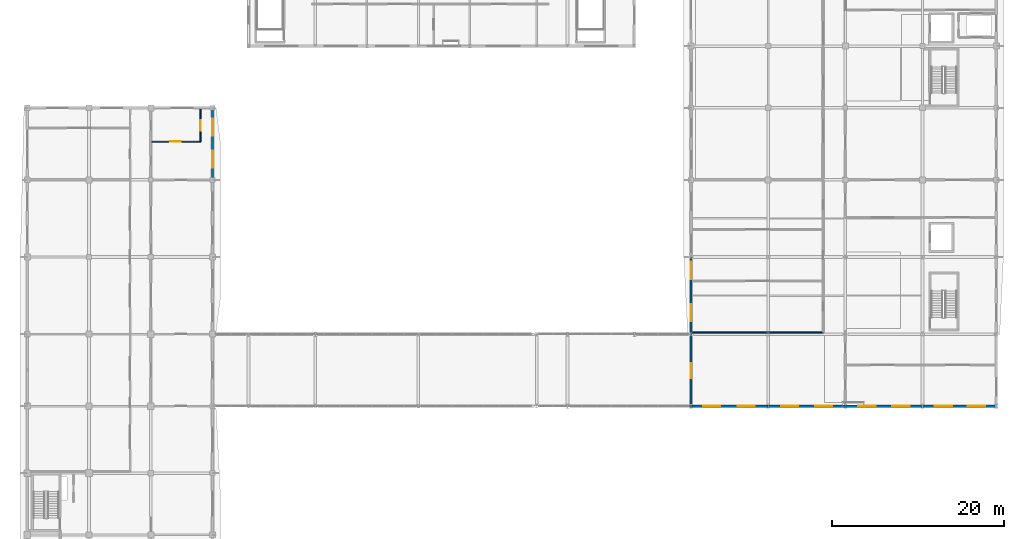
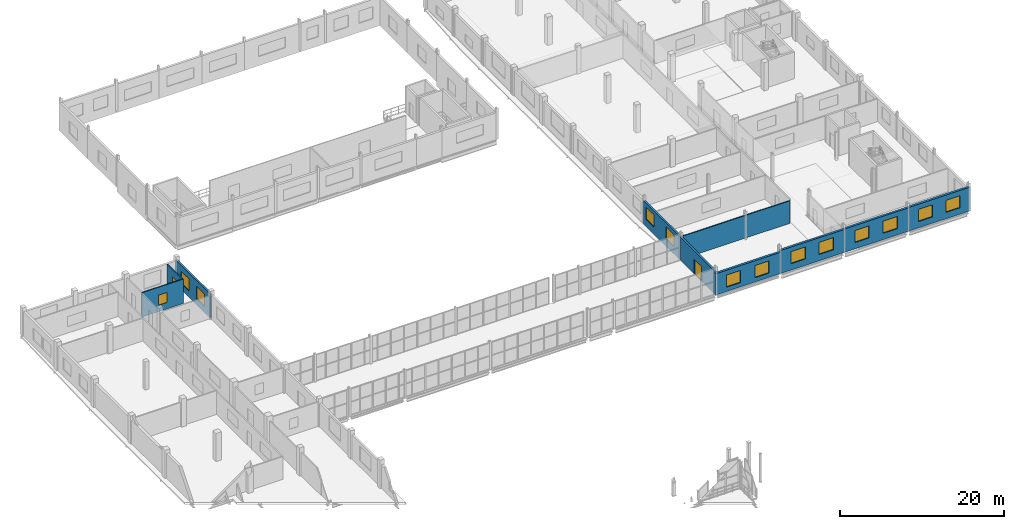
# One storey, part 98 of 121: 14 windows, 10 walls, 1 door, 15 openings.
"""IFC4 building model written with IfcOpenShell, lengths in metres."""

from ifc_helpers import new_model, si_unit, direction, frame, frame_2d, origin, place, context, subcontext, project, spatial, rectangle, extrude, material, layer, layer_set, type_object, element, fill, save


model = new_model("IFC4")

# Units and contexts
model_context = context("Model", 3, precision=1e-05, world=origin(), true_north=direction((0.0, 1.0)))
body_context = subcontext(model_context, "Body", "Model", "MODEL_VIEW")
ifc_project = project(units=[si_unit("LENGTHUNIT", "METRE"), si_unit("AREAUNIT", "SQUARE_METRE"), si_unit("VOLUMEUNIT", "CUBIC_METRE"), si_unit("PLANEANGLEUNIT", "RADIAN"), si_unit("MASSUNIT", "GRAM", prefix="KILO")], contexts=[model_context])

# Site, building, storey
site_placement = place(None, origin())
site = spatial("IfcSite", under=ifc_project, at=site_placement, CompositionType="ELEMENT")
building_placement = place(site_placement, origin())
building = spatial("IfcBuilding", under=site, at=building_placement, Name="Vinh Khe Railworks Police Headquarters", CompositionType="ELEMENT")
storey_placement = place(building_placement, frame((0.0, 0.0, 4.800048828125)))
storey = spatial("IfcBuildingStorey", under=building, at=storey_placement, Name="L01", CompositionType="ELEMENT", Elevation=4.800048828125)

# Wall, openings, windows
ifc_material_1 = material(Name="Clay brickwork", Category="masonry")
ifc_layer_1 = layer(ifc_material_1, 0.260009765625)
ifc_layer_set_1 = layer_set([ifc_layer_1], Name="Clay brickwork")
wall_type_1 = type_object("IfcWallType", Name="EW-BRK-260", PredefinedType="SOLIDWALL", material=ifc_layer_set_1)
wall_1_placement = place(storey_placement, frame((22.199951171875, 122.39990234375, 0.0), z_axis=(0.0, 0.0, 1.0), x_axis=(0.0, 1.0, 0.0)))
wall_1 = element("IfcWall", 1, at=wall_1_placement, inside=storey, type_object=wall_type_1, Name="Exterior Brick Wall EW-L01-V5E-16", PredefinedType="SOLIDWALL", context=body_context, shape_type="SweptSolid", body=[
    extrude(rectangle(XDim=8.530029296875, YDim=0.260009765625, at=frame_2d((4.26513671875, 0.0))), origin(), (0.0, 0.0, 1.0), 3.5849609375),
])
opening_1_placement = place(wall_1_placement, frame((1.388427734375, 0.0, 0.89990234375)))
opening_1 = element("IfcOpeningElement", 2, at=opening_1_placement, cuts=wall_1, Name="Opening WN-04", PredefinedType="OPENING", context=body_context, shape_type="SweptSolid", body=[
    extrude(rectangle(XDim=2.0, YDim=1.800048828125, at=frame_2d((1.0, 0.89990234375))), frame((0.0, 0.14501953125, 0.0), z_axis=(0.0, -1.0, 0.0), x_axis=(1.0, 0.0, 0.0)), (0.0, 0.0, 1.0), 0.289794921875),
])
opening_2_placement = place(wall_1_placement, frame((5.1416015625, 0.0, 0.89990234375)))
opening_2 = element("IfcOpeningElement", 3, at=opening_2_placement, cuts=wall_1, Name="Opening WN-04", PredefinedType="OPENING", context=body_context, shape_type="SweptSolid", body=[
    extrude(rectangle(XDim=2.0, YDim=1.800048828125, at=frame_2d((1.0, 0.89990234375))), frame((0.0, 0.14501953125, 0.0), z_axis=(0.0, -1.0, 0.0), x_axis=(1.0, 0.0, 0.0)), (0.0, 0.0, 1.0), 0.289794921875),
])
ifc_material_2 = material(Name="Double-glazed solar-control glass in dark steel frame", Category="steel")
window_type_1 = type_object("IfcWindowType", Name="WIN-WN-04", PartitioningType="DOUBLE_PANEL_VERTICAL", PredefinedType="WINDOW", material=ifc_material_2)
window_1_placement = place(opening_1_placement, origin())
window_1 = element("IfcWindow", 4, at=window_1_placement, inside=storey, type_object=window_type_1, Name="Casement Window WN-04", OverallHeight=1.800048828125, OverallWidth=2.0, PartitioningType="SINGLE_PANEL", PredefinedType="WINDOW", context=body_context, shape_type="SweptSolid", body=[
    extrude(rectangle(XDim=2.0, YDim=1.800048828125, at=frame_2d((1.0, 0.89990234375))), frame((0.0, 0.030029296875, 0.0), z_axis=(0.0, -1.0, 0.0), x_axis=(1.0, 0.0, 0.0)), (0.0, 0.0, 1.0), 0.06005859375),
])
fill(opening_1, window_1)
window_2_placement = place(opening_2_placement, origin())
window_2 = element("IfcWindow", 5, at=window_2_placement, inside=storey, type_object=window_type_1, Name="Casement Window WN-04", OverallHeight=1.800048828125, OverallWidth=2.0, PartitioningType="SINGLE_PANEL", PredefinedType="WINDOW", context=body_context, shape_type="SweptSolid", body=[
    extrude(rectangle(XDim=2.0, YDim=1.800048828125, at=frame_2d((1.0, 0.89990234375))), frame((0.0, 0.030029296875, 0.0), z_axis=(0.0, -1.0, 0.0), x_axis=(1.0, 0.0, 0.0)), (0.0, 0.0, 1.0), 0.06005859375),
])
fill(opening_2, window_2)

# Wall, opening, door
wall_2_placement = place(storey_placement, frame((78.0, 95.8701171875, 0.0), z_axis=(0.0, 0.0, 1.0), x_axis=(0.0, 1.0, 0.0)))
wall_2 = element("IfcWall", 6, at=wall_2_placement, inside=storey, type_object=wall_type_1, Name="Exterior Brick Wall EW-L01-V6W-01", PredefinedType="SOLIDWALL", context=body_context, shape_type="SweptSolid", body=[
    extrude(rectangle(XDim=8.52978515625, YDim=0.260009765625, at=frame_2d((4.264892578125, 0.0))), origin(), (0.0, 0.0, 1.0), 3.43505859375),
])
opening_3_placement = place(wall_2_placement, frame((3.364990234375, 0.0, 0.0)))
opening_3 = element("IfcOpeningElement", 7, at=opening_3_placement, cuts=wall_2, Name="Opening ED-03", PredefinedType="OPENING", context=body_context, shape_type="SweptSolid", body=[
    extrude(rectangle(XDim=1.800048828125, YDim=2.199951171875, at=frame_2d((0.89990234375, 1.10009765625))), frame((0.0, 0.14501953125, 0.0), z_axis=(0.0, -1.0, 0.0), x_axis=(1.0, 0.0, 0.0)), (0.0, 0.0, 1.0), 0.289794921875),
])
ifc_material_3 = material(Name="Dark anodised aluminium and solar-control glass", Category="aluminium")
door_type = type_object("IfcDoorType", Name="ED-TER-1800", OperationType="DOUBLE_DOOR_SINGLE_SWING", PredefinedType="DOOR", material=ifc_material_3)
door_placement = place(opening_3_placement, origin())
door = element("IfcDoor", 8, at=door_placement, inside=storey, type_object=door_type, Name="Court Link Bridge East Portal Door L01", OperationType="DOUBLE_DOOR_SINGLE_SWING", OverallHeight=2.199951171875, OverallWidth=1.800048828125, PredefinedType="DOOR", context=body_context, shape_type="SweptSolid", body=[
    extrude(rectangle(XDim=1.800048828125, YDim=2.199951171875, at=frame_2d((0.89990234375, 1.10009765625))), frame((0.0, 0.02490234375, 0.0), z_axis=(0.0, -1.0, 0.0), x_axis=(1.0, 0.0, 0.0)), (0.0, 0.0, 1.0), 0.050048828125),
])
fill(opening_3, door)

# Wall, openings, windows
wall_3_placement = place(storey_placement, frame((78.0, 104.39990234375, 0.0), z_axis=(0.0, 0.0, 1.0), x_axis=(0.0, 1.0, 0.0)))
wall_3 = element("IfcWall", 9, at=wall_3_placement, inside=storey, type_object=wall_type_1, Name="Exterior Brick Wall EW-L01-V6W-02", PredefinedType="SOLIDWALL", context=body_context, shape_type="SweptSolid", body=[
    extrude(rectangle(XDim=9.0, YDim=0.260009765625, at=frame_2d((4.5, 0.0))), origin(), (0.0, 0.0, 1.0), 3.43505859375),
])
opening_4_placement = place(wall_3_placement, frame((1.52001953125, 0.0, 1.050048828125)))
opening_4 = element("IfcOpeningElement", 10, at=opening_4_placement, cuts=wall_3, Name="Opening WN-04", PredefinedType="OPENING", context=body_context, shape_type="SweptSolid", body=[
    extrude(rectangle(XDim=2.0, YDim=1.800048828125, at=frame_2d((1.0, 0.89990234375))), frame((0.0, 0.14501953125, 0.0), z_axis=(0.0, -1.0, 0.0), x_axis=(1.0, 0.0, 0.0)), (0.0, 0.0, 1.0), 0.289794921875),
])
opening_5_placement = place(wall_3_placement, frame((6.429931640625, 0.0, 1.050048828125)))
opening_5 = element("IfcOpeningElement", 11, at=opening_5_placement, cuts=wall_3, Name="Opening WN-04", PredefinedType="OPENING", context=body_context, shape_type="SweptSolid", body=[
    extrude(rectangle(XDim=2.0, YDim=1.800048828125, at=frame_2d((1.0, 0.89990234375))), frame((0.0, 0.14501953125, 0.0), z_axis=(0.0, -1.0, 0.0), x_axis=(1.0, 0.0, 0.0)), (0.0, 0.0, 1.0), 0.289794921875),
])
window_3_placement = place(opening_4_placement, origin())
window_3 = element("IfcWindow", 12, at=window_3_placement, inside=storey, type_object=window_type_1, Name="Casement Window WN-04", OverallHeight=1.800048828125, OverallWidth=2.0, PartitioningType="SINGLE_PANEL", PredefinedType="WINDOW", context=body_context, shape_type="SweptSolid", body=[
    extrude(rectangle(XDim=2.0, YDim=1.800048828125, at=frame_2d((1.0, 0.89990234375))), frame((0.0, 0.030029296875, 0.0), z_axis=(0.0, -1.0, 0.0), x_axis=(1.0, 0.0, 0.0)), (0.0, 0.0, 1.0), 0.06005859375),
])
fill(opening_4, window_3)
window_4_placement = place(opening_5_placement, origin())
window_4 = element("IfcWindow", 13, at=window_4_placement, inside=storey, type_object=window_type_1, Name="Casement Window WN-04", OverallHeight=1.800048828125, OverallWidth=2.0, PartitioningType="SINGLE_PANEL", PredefinedType="WINDOW", context=body_context, shape_type="SweptSolid", body=[
    extrude(rectangle(XDim=2.0, YDim=1.800048828125, at=frame_2d((1.0, 0.89990234375))), frame((0.0, 0.030029296875, 0.0), z_axis=(0.0, -1.0, 0.0), x_axis=(1.0, 0.0, 0.0)), (0.0, 0.0, 1.0), 0.06005859375),
])
fill(opening_5, window_4)

ifc_layer_2 = layer(ifc_material_1, 0.300048828125)
ifc_layer_set_2 = layer_set([ifc_layer_2], Name="Clay brickwork")
wall_type_2 = type_object("IfcWallType", Name="EW-BRK-300", PredefinedType="SOLIDWALL", material=ifc_layer_set_2)
wall_4_placement = place(storey_placement, frame((77.85009765625, 96.0, 0.0), z_axis=(0.0, 0.0, 1.0), x_axis=(1.0, 0.0, 0.0)))
wall_4 = element("IfcWall", 14, at=wall_4_placement, inside=storey, type_object=wall_type_2, Name="Exterior Brick Wall EW-L01-V6S-01", PredefinedType="SOLIDWALL", context=body_context, shape_type="SweptSolid", body=[
    extrude(rectangle(XDim=9.14990234375, YDim=0.300048828125, at=frame_2d((4.574951171875, 0.0))), origin(), (0.0, 0.0, 1.0), 3.175048828125),
])
opening_6_placement = place(wall_4_placement, frame((1.56201171875, 0.0, 0.64990234375)))
opening_6 = element("IfcOpeningElement", 15, at=opening_6_placement, cuts=wall_4, Name="Opening WN-04", PredefinedType="OPENING", context=body_context, shape_type="SweptSolid", body=[
    extrude(rectangle(XDim=2.0, YDim=1.800048828125, at=frame_2d((1.0, 0.89990234375))), frame((0.0, 0.1650390625, 0.0), z_axis=(0.0, -1.0, 0.0), x_axis=(1.0, 0.0, 0.0)), (0.0, 0.0, 1.0), 0.329833984375),
])
opening_7_placement = place(wall_4_placement, frame((5.587890625, 0.0, 0.64990234375)))
opening_7 = element("IfcOpeningElement", 16, at=opening_7_placement, cuts=wall_4, Name="Opening WN-04", PredefinedType="OPENING", context=body_context, shape_type="SweptSolid", body=[
    extrude(rectangle(XDim=2.0, YDim=1.800048828125, at=frame_2d((1.0, 0.89990234375))), frame((0.0, 0.1650390625, 0.0), z_axis=(0.0, -1.0, 0.0), x_axis=(1.0, 0.0, 0.0)), (0.0, 0.0, 1.0), 0.329833984375),
])
window_5_placement = place(opening_6_placement, origin())
window_5 = element("IfcWindow", 17, at=window_5_placement, inside=storey, type_object=window_type_1, Name="Casement Window WN-04", OverallHeight=1.800048828125, OverallWidth=2.0, PartitioningType="SINGLE_PANEL", PredefinedType="WINDOW", context=body_context, shape_type="SweptSolid", body=[
    extrude(rectangle(XDim=2.0, YDim=1.800048828125, at=frame_2d((1.0, 0.89990234375))), frame((0.0, 0.030029296875, 0.0), z_axis=(0.0, -1.0, 0.0), x_axis=(1.0, 0.0, 0.0)), (0.0, 0.0, 1.0), 0.06005859375),
])
fill(opening_6, window_5)
window_6_placement = place(opening_7_placement, origin())
window_6 = element("IfcWindow", 18, at=window_6_placement, inside=storey, type_object=window_type_1, Name="Casement Window WN-04", OverallHeight=1.800048828125, OverallWidth=2.0, PartitioningType="SINGLE_PANEL", PredefinedType="WINDOW", context=body_context, shape_type="SweptSolid", body=[
    extrude(rectangle(XDim=2.0, YDim=1.800048828125, at=frame_2d((1.0, 0.89990234375))), frame((0.0, 0.030029296875, 0.0), z_axis=(0.0, -1.0, 0.0), x_axis=(1.0, 0.0, 0.0)), (0.0, 0.0, 1.0), 0.06005859375),
])
fill(opening_7, window_6)

wall_5_placement = place(storey_placement, frame((87.0, 96.0, 0.0), z_axis=(0.0, 0.0, 1.0), x_axis=(1.0, 0.0, 0.0)))
wall_5 = element("IfcWall", 19, at=wall_5_placement, inside=storey, type_object=wall_type_2, Name="Exterior Brick Wall EW-L01-V6S-02", PredefinedType="SOLIDWALL", context=body_context, shape_type="SweptSolid", body=[
    extrude(rectangle(XDim=9.0, YDim=0.300048828125, at=frame_2d((4.5, 0.0))), origin(), (0.0, 0.0, 1.0), 3.43505859375),
])
opening_8_placement = place(wall_5_placement, frame((1.52001953125, 0.0, 0.949951171875)))
opening_8 = element("IfcOpeningElement", 20, at=opening_8_placement, cuts=wall_5, Name="Opening WN-04", PredefinedType="OPENING", context=body_context, shape_type="SweptSolid", body=[
    extrude(rectangle(XDim=2.0, YDim=1.800048828125, at=frame_2d((1.0, 0.89990234375))), frame((0.0, 0.1650390625, 0.0), z_axis=(0.0, -1.0, 0.0), x_axis=(1.0, 0.0, 0.0)), (0.0, 0.0, 1.0), 0.329833984375),
])
opening_9_placement = place(wall_5_placement, frame((5.47998046875, 0.0, 0.949951171875)))
opening_9 = element("IfcOpeningElement", 21, at=opening_9_placement, cuts=wall_5, Name="Opening WN-04", PredefinedType="OPENING", context=body_context, shape_type="SweptSolid", body=[
    extrude(rectangle(XDim=2.0, YDim=1.800048828125, at=frame_2d((1.0, 0.89990234375))), frame((0.0, 0.1650390625, 0.0), z_axis=(0.0, -1.0, 0.0), x_axis=(1.0, 0.0, 0.0)), (0.0, 0.0, 1.0), 0.329833984375),
])
window_7_placement = place(opening_8_placement, origin())
window_7 = element("IfcWindow", 22, at=window_7_placement, inside=storey, type_object=window_type_1, Name="Casement Window WN-04", OverallHeight=1.800048828125, OverallWidth=2.0, PartitioningType="SINGLE_PANEL", PredefinedType="WINDOW", context=body_context, shape_type="SweptSolid", body=[
    extrude(rectangle(XDim=2.0, YDim=1.800048828125, at=frame_2d((1.0, 0.89990234375))), frame((0.0, 0.030029296875, 0.0), z_axis=(0.0, -1.0, 0.0), x_axis=(1.0, 0.0, 0.0)), (0.0, 0.0, 1.0), 0.06005859375),
])
fill(opening_8, window_7)
window_8_placement = place(opening_9_placement, origin())
window_8 = element("IfcWindow", 23, at=window_8_placement, inside=storey, type_object=window_type_1, Name="Casement Window WN-04", OverallHeight=1.800048828125, OverallWidth=2.0, PartitioningType="SINGLE_PANEL", PredefinedType="WINDOW", context=body_context, shape_type="SweptSolid", body=[
    extrude(rectangle(XDim=2.0, YDim=1.800048828125, at=frame_2d((1.0, 0.89990234375))), frame((0.0, 0.030029296875, 0.0), z_axis=(0.0, -1.0, 0.0), x_axis=(1.0, 0.0, 0.0)), (0.0, 0.0, 1.0), 0.06005859375),
])
fill(opening_9, window_8)

wall_6_placement = place(storey_placement, frame((96.0, 96.0, 0.0), z_axis=(0.0, 0.0, 1.0), x_axis=(1.0, 0.0, 0.0)))
wall_6 = element("IfcWall", 24, at=wall_6_placement, inside=storey, type_object=wall_type_2, Name="Exterior Brick Wall EW-L01-V6S-03", PredefinedType="SOLIDWALL", context=body_context, shape_type="SweptSolid", body=[
    extrude(rectangle(XDim=9.0, YDim=0.300048828125, at=frame_2d((4.5, 0.0))), origin(), (0.0, 0.0, 1.0), 3.48486328125),
])
opening_10_placement = place(wall_6_placement, frame((1.52001953125, 0.0, 0.949951171875)))
opening_10 = element("IfcOpeningElement", 25, at=opening_10_placement, cuts=wall_6, Name="Opening WN-04", PredefinedType="OPENING", context=body_context, shape_type="SweptSolid", body=[
    extrude(rectangle(XDim=2.0, YDim=1.800048828125, at=frame_2d((1.0, 0.89990234375))), frame((0.0, 0.1650390625, 0.0), z_axis=(0.0, -1.0, 0.0), x_axis=(1.0, 0.0, 0.0)), (0.0, 0.0, 1.0), 0.329833984375),
])
opening_11_placement = place(wall_6_placement, frame((5.47998046875, 0.0, 0.949951171875)))
opening_11 = element("IfcOpeningElement", 26, at=opening_11_placement, cuts=wall_6, Name="Opening WN-04", PredefinedType="OPENING", context=body_context, shape_type="SweptSolid", body=[
    extrude(rectangle(XDim=2.0, YDim=1.800048828125, at=frame_2d((1.0, 0.89990234375))), frame((0.0, 0.1650390625, 0.0), z_axis=(0.0, -1.0, 0.0), x_axis=(1.0, 0.0, 0.0)), (0.0, 0.0, 1.0), 0.329833984375),
])
window_9_placement = place(opening_10_placement, origin())
window_9 = element("IfcWindow", 27, at=window_9_placement, inside=storey, type_object=window_type_1, Name="Casement Window WN-04", OverallHeight=1.800048828125, OverallWidth=2.0, PartitioningType="SINGLE_PANEL", PredefinedType="WINDOW", context=body_context, shape_type="SweptSolid", body=[
    extrude(rectangle(XDim=2.0, YDim=1.800048828125, at=frame_2d((1.0, 0.89990234375))), frame((0.0, 0.030029296875, 0.0), z_axis=(0.0, -1.0, 0.0), x_axis=(1.0, 0.0, 0.0)), (0.0, 0.0, 1.0), 0.06005859375),
])
fill(opening_10, window_9)
window_10_placement = place(opening_11_placement, origin())
window_10 = element("IfcWindow", 28, at=window_10_placement, inside=storey, type_object=window_type_1, Name="Casement Window WN-04", OverallHeight=1.800048828125, OverallWidth=2.0, PartitioningType="SINGLE_PANEL", PredefinedType="WINDOW", context=body_context, shape_type="SweptSolid", body=[
    extrude(rectangle(XDim=2.0, YDim=1.800048828125, at=frame_2d((1.0, 0.89990234375))), frame((0.0, 0.030029296875, 0.0), z_axis=(0.0, -1.0, 0.0), x_axis=(1.0, 0.0, 0.0)), (0.0, 0.0, 1.0), 0.06005859375),
])
fill(opening_11, window_10)

wall_7_placement = place(storey_placement, frame((105.0, 96.0, 0.0), z_axis=(0.0, 0.0, 1.0), x_axis=(1.0, 0.0, 0.0)))
wall_7 = element("IfcWall", 29, at=wall_7_placement, inside=storey, type_object=wall_type_2, Name="Exterior Brick Wall EW-L01-V6S-04", PredefinedType="SOLIDWALL", context=body_context, shape_type="SweptSolid", body=[
    extrude(rectangle(XDim=8.75, YDim=0.300048828125, at=frame_2d((4.375, 0.0))), origin(), (0.0, 0.0, 1.0), 3.534912109375),
])
opening_12_placement = place(wall_7_placement, frame((1.449951171875, 0.0, 0.949951171875)))
opening_12 = element("IfcOpeningElement", 30, at=opening_12_placement, cuts=wall_7, Name="Opening WN-04", PredefinedType="OPENING", context=body_context, shape_type="SweptSolid", body=[
    extrude(rectangle(XDim=2.0, YDim=1.800048828125, at=frame_2d((1.0, 0.89990234375))), frame((0.0, 0.1650390625, 0.0), z_axis=(0.0, -1.0, 0.0), x_axis=(1.0, 0.0, 0.0)), (0.0, 0.0, 1.0), 0.329833984375),
])
opening_13_placement = place(wall_7_placement, frame((5.300048828125, 0.0, 0.949951171875)))
opening_13 = element("IfcOpeningElement", 31, at=opening_13_placement, cuts=wall_7, Name="Opening WN-04", PredefinedType="OPENING", context=body_context, shape_type="SweptSolid", body=[
    extrude(rectangle(XDim=2.0, YDim=1.800048828125, at=frame_2d((1.0, 0.89990234375))), frame((0.0, 0.1650390625, 0.0), z_axis=(0.0, -1.0, 0.0), x_axis=(1.0, 0.0, 0.0)), (0.0, 0.0, 1.0), 0.329833984375),
])
window_11_placement = place(opening_12_placement, origin())
window_11 = element("IfcWindow", 32, at=window_11_placement, inside=storey, type_object=window_type_1, Name="Casement Window WN-04", OverallHeight=1.800048828125, OverallWidth=2.0, PartitioningType="SINGLE_PANEL", PredefinedType="WINDOW", context=body_context, shape_type="SweptSolid", body=[
    extrude(rectangle(XDim=2.0, YDim=1.800048828125, at=frame_2d((1.0, 0.89990234375))), frame((0.0, 0.030029296875, 0.0), z_axis=(0.0, -1.0, 0.0), x_axis=(1.0, 0.0, 0.0)), (0.0, 0.0, 1.0), 0.06005859375),
])
fill(opening_12, window_11)
window_12_placement = place(opening_13_placement, origin())
window_12 = element("IfcWindow", 33, at=window_12_placement, inside=storey, type_object=window_type_1, Name="Casement Window WN-04", OverallHeight=1.800048828125, OverallWidth=2.0, PartitioningType="SINGLE_PANEL", PredefinedType="WINDOW", context=body_context, shape_type="SweptSolid", body=[
    extrude(rectangle(XDim=2.0, YDim=1.800048828125, at=frame_2d((1.0, 0.89990234375))), frame((0.0, 0.030029296875, 0.0), z_axis=(0.0, -1.0, 0.0), x_axis=(1.0, 0.0, 0.0)), (0.0, 0.0, 1.0), 0.06005859375),
])
fill(opening_13, window_12)

# Wall, opening, window
ifc_material_4 = material(Name="Gypsum plasterboard on steel stud", Category="steel")
ifc_layer_3 = layer(ifc_material_4, 0.1201171875)
ifc_layer_set_3 = layer_set([ifc_layer_3], Name="Gypsum plasterboard on steel stud")
wall_type_3 = type_object("IfcWallType", Name="IW-PART-120", PredefinedType="PARTITIONING", material=ifc_layer_set_3)
wall_8_placement = place(storey_placement, frame((15.0, 126.846923828125, 0.0), z_axis=(0.0, 0.0, 1.0), x_axis=(1.0, 0.0, 0.0)))
wall_8 = element("IfcWall", 34, at=wall_8_placement, inside=storey, type_object=wall_type_3, Name="Interior Partition W-L01-V5-AWCL1S-DIV", PredefinedType="PARTITIONING", context=body_context, shape_type="SweptSolid", body=[
    extrude(rectangle(XDim=5.800048828125, YDim=0.14990234375, at=frame_2d((2.89990234375, 0.0))), origin(), (0.0, 0.0, 1.0), 3.625),
])
opening_14_placement = place(wall_8_placement, frame((2.300048828125, 0.0, 0.949951171875)))
opening_14 = element("IfcOpeningElement", 35, at=opening_14_placement, cuts=wall_8, Name="Opening WN-10", PredefinedType="OPENING", context=body_context, shape_type="SweptSolid", body=[
    extrude(rectangle(XDim=1.199951171875, YDim=1.5, at=frame_2d((0.60009765625, 0.75))), frame((0.0, 0.08984375, 0.0), z_axis=(0.0, -1.0, 0.0), x_axis=(1.0, 0.0, 0.0)), (0.0, 0.0, 1.0), 0.1796875),
])
window_type_2 = type_object("IfcWindowType", Name="WIN-WN-10", PartitioningType="SINGLE_PANEL", PredefinedType="WINDOW", material=ifc_material_2)
window_13_placement = place(opening_14_placement, origin())
window_13 = element("IfcWindow", 36, at=window_13_placement, inside=storey, type_object=window_type_2, Name="Interior Acoustic Vision Window WN-10", OverallHeight=1.5, OverallWidth=1.199951171875, PartitioningType="SINGLE_PANEL", PredefinedType="WINDOW", context=body_context, shape_type="SweptSolid", body=[
    extrude(rectangle(XDim=1.199951171875, YDim=1.5, at=frame_2d((0.60009765625, 0.75))), frame((0.0, 0.030029296875, 0.0), z_axis=(0.0, -1.0, 0.0), x_axis=(1.0, 0.0, 0.0)), (0.0, 0.0, 1.0), 0.06005859375),
])
fill(opening_14, window_13)

wall_9_placement = place(storey_placement, frame((20.800048828125, 126.846923828125, 0.0), z_axis=(0.0, 0.0, 1.0), x_axis=(0.0, 1.0, 0.0)))
wall_9 = element("IfcWall", 37, at=wall_9_placement, inside=storey, type_object=wall_type_3, Name="Interior Partition W-L01-V5-AWCL1-REAR", PredefinedType="PARTITIONING", context=body_context, shape_type="SweptSolid", body=[
    extrude(rectangle(XDim=3.79296875, YDim=0.14990234375, at=frame_2d((1.896484375, 0.0))), origin(), (0.0, 0.0, 1.0), 3.52490234375),
])
opening_15_placement = place(wall_9_placement, frame((1.29638671875, 0.0, 0.949951171875)))
opening_15 = element("IfcOpeningElement", 38, at=opening_15_placement, cuts=wall_9, Name="Opening WN-10", PredefinedType="OPENING", context=body_context, shape_type="SweptSolid", body=[
    extrude(rectangle(XDim=1.199951171875, YDim=1.5, at=frame_2d((0.60009765625, 0.75))), frame((0.0, 0.08984375, 0.0), z_axis=(0.0, -1.0, 0.0), x_axis=(1.0, 0.0, 0.0)), (0.0, 0.0, 1.0), 0.1796875),
])
window_14_placement = place(opening_15_placement, origin())
window_14 = element("IfcWindow", 39, at=window_14_placement, inside=storey, type_object=window_type_2, Name="Interior Acoustic Vision Window WN-10", OverallHeight=1.5, OverallWidth=1.199951171875, PartitioningType="SINGLE_PANEL", PredefinedType="WINDOW", context=body_context, shape_type="SweptSolid", body=[
    extrude(rectangle(XDim=1.199951171875, YDim=1.5, at=frame_2d((0.60009765625, 0.75))), frame((0.0, 0.030029296875, 0.0), z_axis=(0.0, -1.0, 0.0), x_axis=(1.0, 0.0, 0.0)), (0.0, 0.0, 1.0), 0.06005859375),
])
fill(opening_15, window_14)

# Wall
wall_10_placement = place(storey_placement, frame((78.139892578125, 104.60009765625, 0.0), z_axis=(0.0, 0.0, 1.0), x_axis=(1.0, 0.0, 0.0)))
element("IfcWall", 40, at=wall_10_placement, inside=storey, type_object=wall_type_3, Name="Interior Partition W-L01-V6-SOL1-DIV", PredefinedType="PARTITIONING", context=body_context, shape_type="SweptSolid", body=[
    extrude(rectangle(XDim=15.260009765625, YDim=0.14990234375, at=frame_2d((7.6298828125, 0.0))), origin(), (0.0, 0.0, 1.0), 3.375),
])

save(model, "model.ifc")
